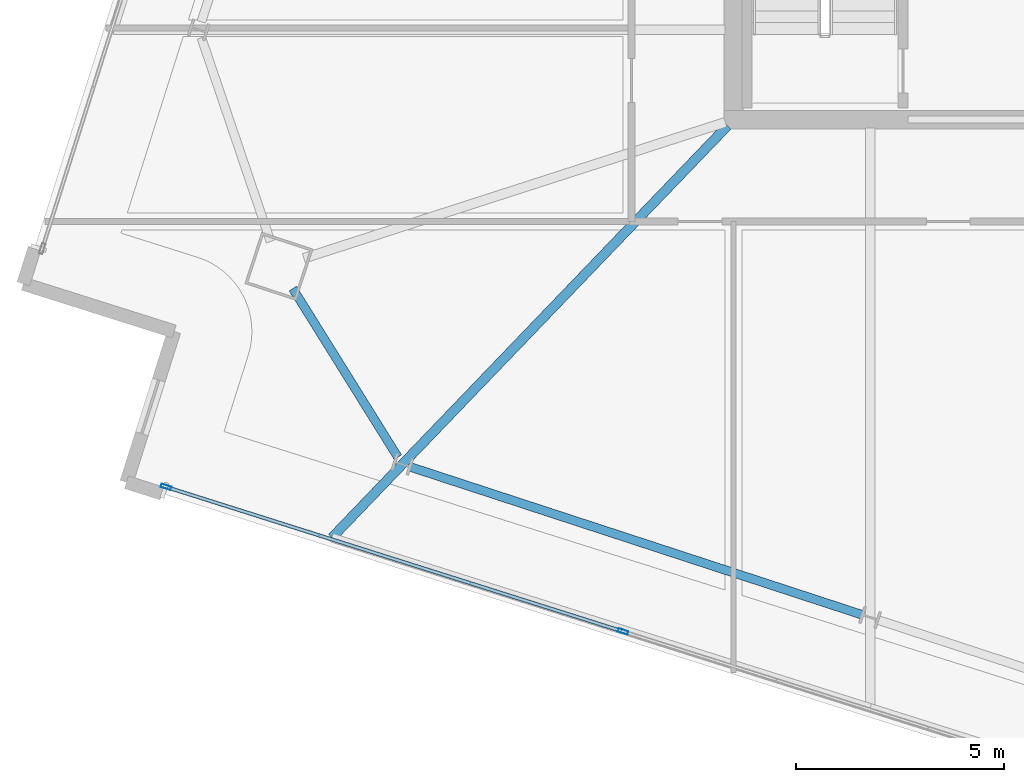
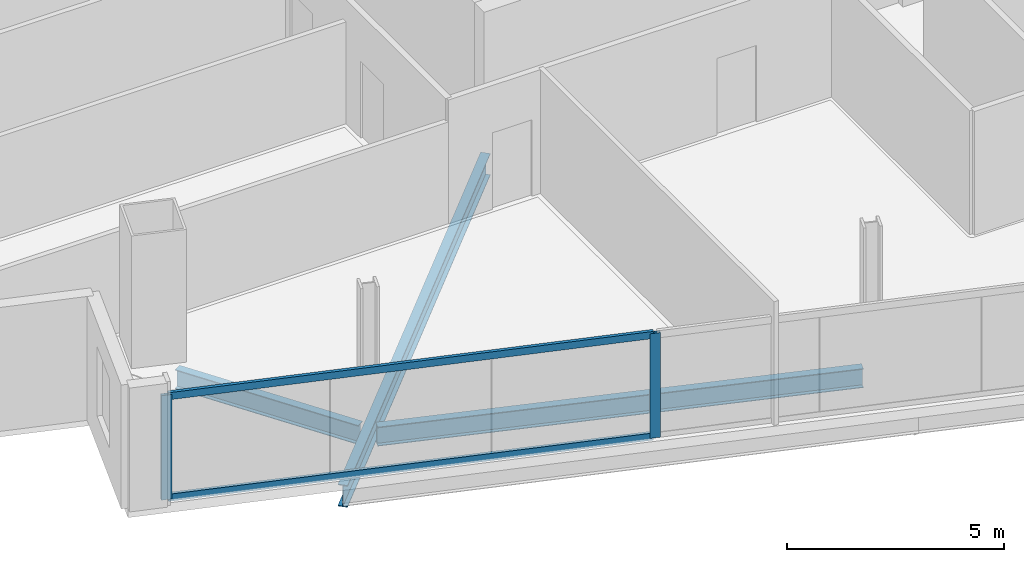
# One storey, part 2 of 26: 4 members, 3 beams, 1 element without a shape of its own.
"""IFC4 building model written with IfcOpenShell, lengths in metres."""

from ifc_helpers import new_model, si_unit, direction, frame, origin, origin_2d, place, context, subcontext, project, spatial, hollow_rectangle, i_section, extrude, material, material_profile, profile_set, type_object, element, aggregate, save


model = new_model("IFC4")

# Units and contexts
model_context = context("Model", 3, precision=1e-05, world=origin(), true_north=direction((0.0, 1.0)))
body_context = subcontext(model_context, "Body", "Model", "MODEL_VIEW")
ifc_project = project(units=[si_unit("LENGTHUNIT", "METRE"), si_unit("AREAUNIT", "SQUARE_METRE"), si_unit("VOLUMEUNIT", "CUBIC_METRE"), si_unit("PLANEANGLEUNIT", "RADIAN"), si_unit("MASSUNIT", "GRAM", prefix="KILO")], contexts=[model_context])

# Site, building, storey
site_placement = place(None, origin())
site = spatial("IfcSite", under=ifc_project, at=site_placement, CompositionType="ELEMENT")
building_placement = place(site_placement, origin())
building = spatial("IfcBuilding", under=site, at=building_placement, Name="Haldenkirk Collegiate Tower", CompositionType="ELEMENT")
storey_placement = place(building_placement, frame((0.0, 0.0, 271.199951171875)))
storey = spatial("IfcBuildingStorey", under=building, at=storey_placement, Name="L68", CompositionType="ELEMENT", Elevation=271.199951171875)

# Beams
ifc_material_1 = material(Name="Steel ASTM A992 Grade 50", Category="steel")
ifc_material_profile_1 = material_profile(ifc_material_1, i_section(OverallWidth=0.22998046875, OverallDepth=0.616943359375, WebThickness=0.01318359375, FlangeThickness=0.022216796875, at=origin_2d()), Name="W24X94")
ifc_profile_set_1 = profile_set([ifc_material_profile_1], Name="Steel ASTM A992 Grade 50")
beam_type_1 = type_object("IfcBeamType", Name="BM-GIRDER-W24X94", PredefinedType="BEAM", material=ifc_profile_set_1)
beam_1_placement = place(storey_placement, frame((17.349609375, 7.953857421875, -0.578369140625), z_axis=(0.692751732958, 0.721176148027, 0.0), x_axis=(-0.721176148027, 0.692751732958, 0.0)))
element("IfcBeam", 1, at=beam_1_placement, inside=storey, type_object=beam_type_1, Name="L68 primary floor girder 14", PredefinedType="BEAM", context=body_context, shape_type="SweptSolid", body=[
    extrude(i_section(OverallWidth=0.22998046875, OverallDepth=0.616943359375, WebThickness=0.01318359375, FlangeThickness=0.022216796875, at=origin_2d()), origin(), (0.0, 0.0, 1.0), 13.725341796875),
])
ifc_material_profile_2 = material_profile(ifc_material_1, i_section(OverallWidth=0.2099609375, OverallDepth=0.537109375, WebThickness=0.010986328125, FlangeThickness=0.017333984375, at=origin_2d()), Name="W21X68")
ifc_profile_set_2 = profile_set([ifc_material_profile_2], Name="Steel ASTM A992 Grade 50")
beam_type_2 = type_object("IfcBeamType", Name="BM-SPANDREL-W21X68", PredefinedType="SPANDREL", material=ifc_profile_set_2)
beam_2_placement = place(storey_placement, frame((16.41064453125, 13.939697265625, -0.538330078125), z_axis=(0.528899826427, -0.848684260255, 0.0), x_axis=(0.848684260255, 0.528899826427, 0.0)))
element("IfcBeam", 2, at=beam_2_placement, inside=storey, type_object=beam_type_2, Name="L68 perimeter spandrel beam 13", PredefinedType="SPANDREL", context=body_context, shape_type="SweptSolid", body=[
    extrude(i_section(OverallWidth=0.2099609375, OverallDepth=0.537109375, WebThickness=0.010986328125, FlangeThickness=0.017333984375, at=origin_2d()), origin(), (0.0, 0.0, 1.0), 4.77392578125),
])
beam_3_placement = place(storey_placement, frame((19.235107421875, 9.6533203125, -0.538330078125), z_axis=(0.950408846531, -0.311003254701, 0.0), x_axis=(0.311003254701, 0.950408846531, 0.0)))
element("IfcBeam", 3, at=beam_3_placement, inside=storey, type_object=beam_type_2, Name="L68 perimeter spandrel beam 14", PredefinedType="SPANDREL", context=body_context, shape_type="SweptSolid", body=[
    extrude(i_section(OverallWidth=0.2099609375, OverallDepth=0.537109375, WebThickness=0.010986328125, FlangeThickness=0.017333984375, at=origin_2d()), origin(), (0.0, 0.0, 1.0), 11.421875),
])

# Curtain wall, members
ifc_material_2 = material(Name="Anodised architectural bronze aluminium", Category="aluminium")
curtain_wall_type = type_object("IfcCurtainWallType", Name="CW-SYS1B-CONVEX-HI", PredefinedType="USERDEFINED", material=ifc_material_2)
curtain_wall_placement = place(storey_placement, origin())
curtain_wall = element("IfcCurtainWall", 4, at=curtain_wall_placement, inside=storey, type_object=curtain_wall_type, Name="L68 Upper tower high-wind convex bronze unitised curtain wall", ObjectType="UNITISED CURTAIN WALL", PredefinedType="USERDEFINED")
ifc_material_profile_3 = material_profile(ifc_material_2, hollow_rectangle(XDim=0.0849609375, YDim=0.25, WallThickness=0.0048828125, at=origin_2d()), Name="CW-MUL-1B")
ifc_profile_set_3 = profile_set([ifc_material_profile_3], Name="Anodised architectural bronze aluminium")
member_type_1 = type_object("IfcMemberType", Name="CW-MUL-1B", PredefinedType="MULLION", material=ifc_profile_set_3)
member_1_placement = place(storey_placement, frame((24.344482421875, 5.69970703125, 0.0), z_axis=(0.0, 0.0, 1.0), x_axis=(-0.301537400144, -0.95345434936, 0.0)))
member_1 = element("IfcMember", 5, at=member_1_placement, type_object=member_type_1, Name="CW-1B mullion 3", PredefinedType="MULLION", context=body_context, shape_type="SweptSolid", body=[
    extrude(hollow_rectangle(XDim=0.0849609375, YDim=0.25, WallThickness=0.0048828125, at=origin_2d()), origin(), (0.0, 0.0, 1.0), 2.93798828125),
])
member_2_placement = place(storey_placement, frame((13.36474609375, 9.172119140625, 0.0), z_axis=(0.0, 0.0, 1.0), x_axis=(-0.301537400144, -0.95345434936, 0.0)))
member_2 = element("IfcMember", 6, at=member_2_placement, type_object=member_type_1, Name="CW-1B mullion 4", PredefinedType="MULLION", context=body_context, shape_type="SweptSolid", body=[
    extrude(hollow_rectangle(XDim=0.0849609375, YDim=0.25, WallThickness=0.0048828125, at=origin_2d()), origin(), (0.0, 0.0, 1.0), 2.93798828125),
])
ifc_material_profile_4 = material_profile(ifc_material_2, hollow_rectangle(XDim=0.0849609375, YDim=0.199951171875, WallThickness=0.0048828125, at=origin_2d()), Name="CW-TRN-1B")
ifc_profile_set_4 = profile_set([ifc_material_profile_4], Name="Anodised architectural bronze aluminium")
member_type_2 = type_object("IfcMemberType", Name="CW-TRN-1B", PredefinedType="USERDEFINED", material=ifc_profile_set_4)
member_3_placement = place(storey_placement, frame((24.303955078125, 5.71240234375, 0.04248046875), z_axis=(-0.953454752366, 0.301536125846, 0.0), x_axis=(-0.301536125846, -0.953454752366, 0.0)))
member_3 = element("IfcMember", 7, at=member_3_placement, type_object=member_type_2, Name="CW-1B transom 3.1", ObjectType="TRANSOM", PredefinedType="USERDEFINED", context=body_context, shape_type="SweptSolid", body=[
    extrude(hollow_rectangle(XDim=0.0849609375, YDim=0.199951171875, WallThickness=0.0048828125, at=origin_2d()), origin(), (0.0, 0.0, 1.0), 11.4306640625),
])
member_4_placement = place(storey_placement, frame((24.303955078125, 5.71240234375, 2.8955078125), z_axis=(-0.953454752366, 0.301536125846, 0.0), x_axis=(-0.301536125846, -0.953454752366, 0.0)))
member_4 = element("IfcMember", 8, at=member_4_placement, type_object=member_type_2, Name="CW-1B transom 3.2", ObjectType="TRANSOM", PredefinedType="USERDEFINED", context=body_context, shape_type="SweptSolid", body=[
    extrude(hollow_rectangle(XDim=0.0849609375, YDim=0.199951171875, WallThickness=0.0048828125, at=origin_2d()), origin(), (0.0, 0.0, 1.0), 11.4306640625),
])
aggregate(curtain_wall, [member_1, member_2, member_3, member_4])

save(model, "model.ifc")
